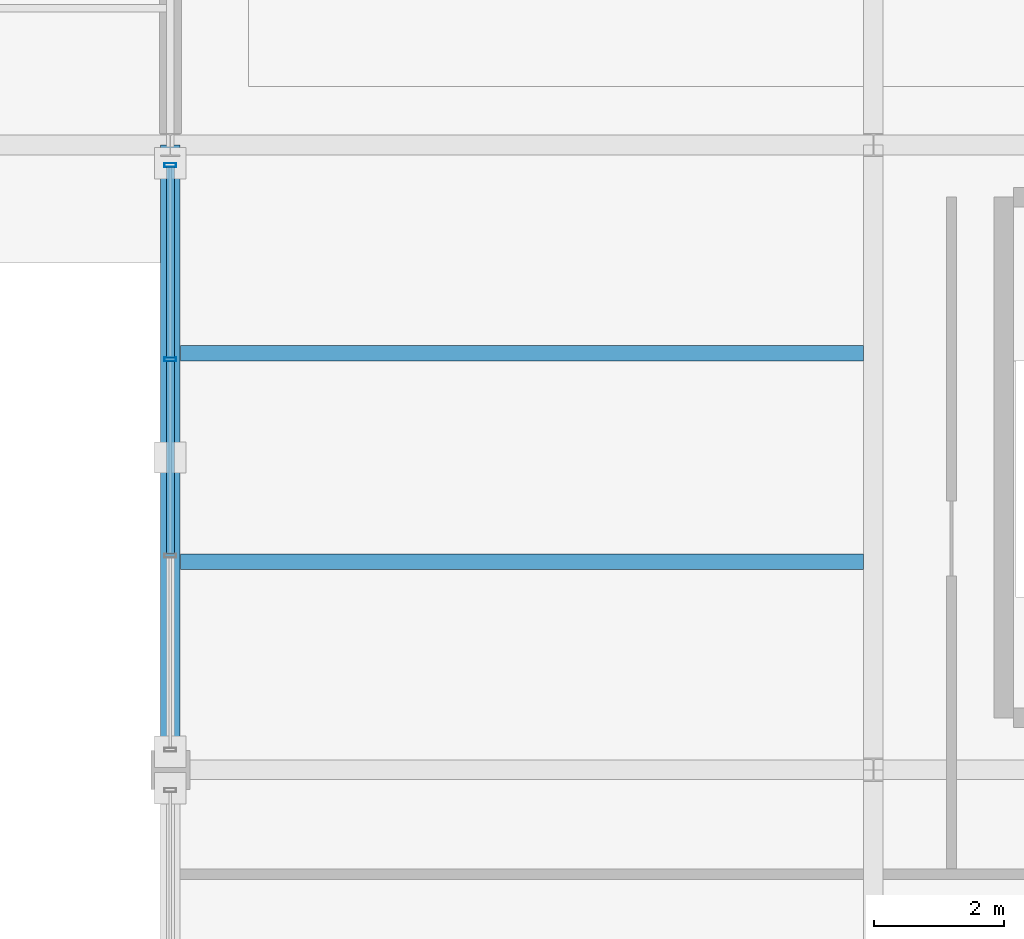
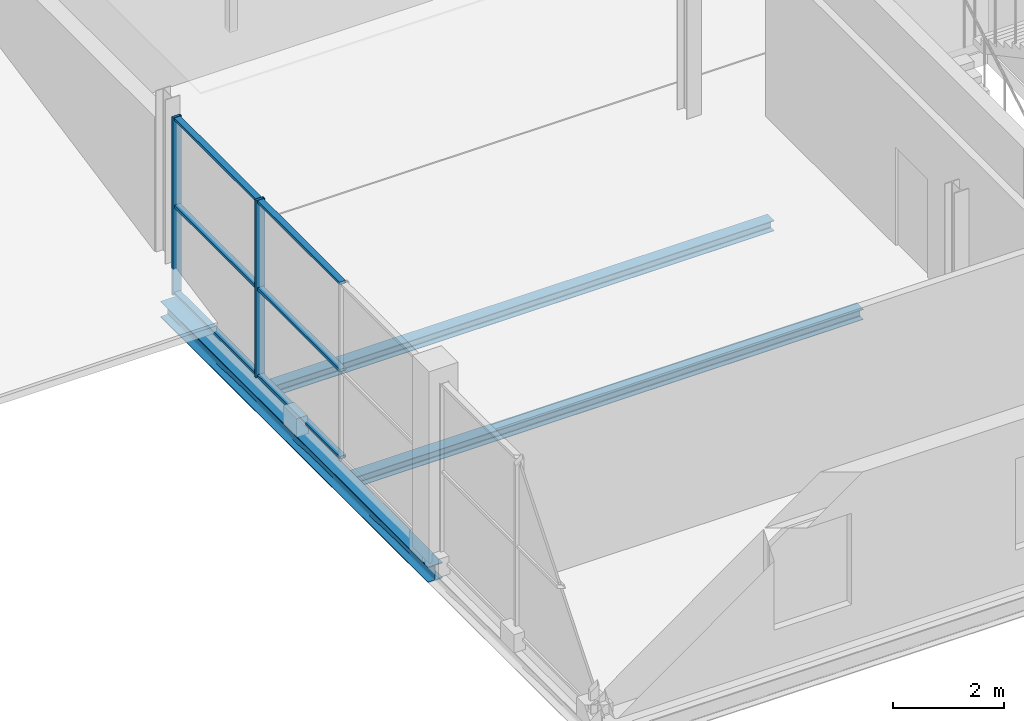
# One storey, part 75 of 117: 8 members, 3 beams, 1 element without a shape of its own.
"""IFC4 building model written with IfcOpenShell, lengths in metres."""

from ifc_helpers import new_model, si_unit, direction, frame, origin, origin_2d, place, context, subcontext, project, spatial, hollow_rectangle, i_section, extrude, material, material_profile, profile_set, type_object, element, aggregate, save


model = new_model("IFC4")

# Units and contexts
model_context = context("Model", 3, precision=1e-05, world=origin(), true_north=direction((0.0, 1.0)))
body_context = subcontext(model_context, "Body", "Model", "MODEL_VIEW")
ifc_project = project(units=[si_unit("LENGTHUNIT", "METRE"), si_unit("AREAUNIT", "SQUARE_METRE"), si_unit("VOLUMEUNIT", "CUBIC_METRE"), si_unit("PLANEANGLEUNIT", "RADIAN"), si_unit("MASSUNIT", "GRAM", prefix="KILO")], contexts=[model_context])

# Site, building, storey
site_placement = place(None, origin())
site = spatial("IfcSite", under=ifc_project, at=site_placement, CompositionType="ELEMENT")
building_placement = place(site_placement, origin())
building = spatial("IfcBuilding", under=site, at=building_placement, Name="Merenkruunu Market Hall", CompositionType="ELEMENT")
storey_placement = place(building_placement, frame((0.0, 0.0, 10.199951171875)))
storey = spatial("IfcBuildingStorey", under=building, at=storey_placement, Name="L02", CompositionType="ELEMENT", Elevation=10.199951171875)

# Curtain wall, members
ifc_material_1 = material(Name="Powder-coated aluminium", Category="aluminium")
curtain_wall_type = type_object("IfcCurtainWallType", Name="Glazed Curtain Wall CW14", PredefinedType="USERDEFINED", material=ifc_material_1)
curtain_wall_placement = place(storey_placement, origin())
curtain_wall = element("IfcCurtainWall", 1, at=curtain_wall_placement, inside=storey, type_object=curtain_wall_type, Name="CW-L02-CWM02-219", ObjectType="GLAZED_FACADE", PredefinedType="USERDEFINED")
ifc_material_profile_1 = material_profile(ifc_material_1, hollow_rectangle(XDim=0.06005859375, YDim=0.179931640625, WallThickness=0.00390625, at=origin_2d()), Name="ALU 60x180x4")
ifc_profile_set_1 = profile_set([ifc_material_profile_1], Name="Powder-coated aluminium")
member_type_1 = type_object("IfcMemberType", Name="Curtain Wall Mullion CWM02", PredefinedType="MULLION", material=ifc_profile_set_1)
member_1_placement = place(storey_placement, frame((148.800048828125, 12.306640625, 0.0), z_axis=(0.0, 0.0, 1.0), x_axis=(0.0, 1.0, 0.0)))
member_1 = element("IfcMember", 2, at=member_1_placement, type_object=member_type_1, Name="CW14 mullion 3", PredefinedType="MULLION", context=body_context, shape_type="SweptSolid", body=[
    extrude(hollow_rectangle(XDim=0.06005859375, YDim=0.179931640625, WallThickness=0.00390625, at=origin_2d()), origin(), (0.0, 0.0, 1.0), 3.880126953125),
])
member_2_placement = place(storey_placement, frame((148.800048828125, 15.2900390625, 0.0), z_axis=(0.0, 0.0, 1.0), x_axis=(0.0, 1.0, 0.0)))
member_2 = element("IfcMember", 3, at=member_2_placement, type_object=member_type_1, Name="CW14 mullion 4", PredefinedType="MULLION", context=body_context, shape_type="SweptSolid", body=[
    extrude(hollow_rectangle(XDim=0.06005859375, YDim=0.179931640625, WallThickness=0.00390625, at=origin_2d()), origin(), (0.0, 0.0, 1.0), 3.880126953125),
])
ifc_material_profile_2 = material_profile(ifc_material_1, hollow_rectangle(XDim=0.06005859375, YDim=0.125, WallThickness=0.00390625, at=origin_2d()), Name="ALU 60x125x4")
ifc_profile_set_2 = profile_set([ifc_material_profile_2], Name="Powder-coated aluminium")
member_type_2 = type_object("IfcMemberType", Name="Curtain Wall Transom CWT01", PredefinedType="USERDEFINED", material=ifc_profile_set_2)
member_3_placement = place(storey_placement, frame((148.800048828125, 9.3232421875, 0.030029296875), z_axis=(0.0, 1.0, 0.0), x_axis=(0.0, 0.0, 1.0)))
member_3 = element("IfcMember", 4, at=member_3_placement, type_object=member_type_2, Name="CW14 transom 2.1", ObjectType="TRANSOM", PredefinedType="USERDEFINED", context=body_context, shape_type="SweptSolid", body=[
    extrude(hollow_rectangle(XDim=0.06005859375, YDim=0.125, WallThickness=0.00390625, at=origin_2d()), origin(), (0.0, 0.0, 1.0), 2.953369140625),
])
member_4_placement = place(storey_placement, frame((148.800048828125, 9.3232421875, 1.93994140625), z_axis=(0.0, 1.0, 0.0), x_axis=(0.0, 0.0, 1.0)))
member_4 = element("IfcMember", 5, at=member_4_placement, type_object=member_type_2, Name="CW14 transom 2.2", ObjectType="TRANSOM", PredefinedType="USERDEFINED", context=body_context, shape_type="SweptSolid", body=[
    extrude(hollow_rectangle(XDim=0.06005859375, YDim=0.125, WallThickness=0.00390625, at=origin_2d()), origin(), (0.0, 0.0, 1.0), 2.953369140625),
])
member_5_placement = place(storey_placement, frame((148.800048828125, 9.3232421875, 3.85009765625), z_axis=(0.0, 1.0, 0.0), x_axis=(0.0, 0.0, 1.0)))
member_5 = element("IfcMember", 6, at=member_5_placement, type_object=member_type_2, Name="CW14 transom 2.3", ObjectType="TRANSOM", PredefinedType="USERDEFINED", context=body_context, shape_type="SweptSolid", body=[
    extrude(hollow_rectangle(XDim=0.06005859375, YDim=0.125, WallThickness=0.00390625, at=origin_2d()), origin(), (0.0, 0.0, 1.0), 2.953369140625),
])
member_6_placement = place(storey_placement, frame((148.800048828125, 12.336669921875, 0.030029296875), z_axis=(0.0, 1.0, 0.0), x_axis=(0.0, 0.0, 1.0)))
member_6 = element("IfcMember", 7, at=member_6_placement, type_object=member_type_2, Name="CW14 transom 3.1", ObjectType="TRANSOM", PredefinedType="USERDEFINED", context=body_context, shape_type="SweptSolid", body=[
    extrude(hollow_rectangle(XDim=0.06005859375, YDim=0.125, WallThickness=0.00390625, at=origin_2d()), origin(), (0.0, 0.0, 1.0), 2.92333984375),
])
member_7_placement = place(storey_placement, frame((148.800048828125, 12.336669921875, 1.93994140625), z_axis=(0.0, 1.0, 0.0), x_axis=(0.0, 0.0, 1.0)))
member_7 = element("IfcMember", 8, at=member_7_placement, type_object=member_type_2, Name="CW14 transom 3.2", ObjectType="TRANSOM", PredefinedType="USERDEFINED", context=body_context, shape_type="SweptSolid", body=[
    extrude(hollow_rectangle(XDim=0.06005859375, YDim=0.125, WallThickness=0.00390625, at=origin_2d()), origin(), (0.0, 0.0, 1.0), 2.92333984375),
])
member_8_placement = place(storey_placement, frame((148.800048828125, 12.336669921875, 3.85009765625), z_axis=(0.0, 1.0, 0.0), x_axis=(0.0, 0.0, 1.0)))
member_8 = element("IfcMember", 9, at=member_8_placement, type_object=member_type_2, Name="CW14 transom 3.3", ObjectType="TRANSOM", PredefinedType="USERDEFINED", context=body_context, shape_type="SweptSolid", body=[
    extrude(hollow_rectangle(XDim=0.06005859375, YDim=0.125, WallThickness=0.00390625, at=origin_2d()), origin(), (0.0, 0.0, 1.0), 2.92333984375),
])
aggregate(curtain_wall, [member_1, member_2, member_3, member_4, member_5, member_6, member_7, member_8])

# Beams
ifc_material_2 = material(Name="Steel S355J2", Category="steel")
ifc_material_profile_3 = material_profile(ifc_material_2, i_section(OverallWidth=0.300048828125, OverallDepth=0.35009765625, WebThickness=0.010009765625, FlangeThickness=0.017578125, FilletRadius=0.027099609375, at=origin_2d()), Name="HEA 360")
ifc_profile_set_3 = profile_set([ifc_material_profile_3], Name="Steel S355J2")
beam_type_1 = type_object("IfcBeamType", Name="Primary Floor Girder B08", PredefinedType="BEAM", material=ifc_profile_set_3)
beam_placement = place(storey_placement, frame((148.800048828125, 6.0, -0.48486328125), z_axis=(0.0, 1.0, 0.0), x_axis=(-1.0, 0.0, 0.0)))
element("IfcBeam", 10, at=beam_placement, inside=storey, type_object=beam_type_1, Name="BM-L02-B08-0797", PredefinedType="BEAM", context=body_context, shape_type="SweptSolid", body=[
    extrude(i_section(OverallWidth=0.300048828125, OverallDepth=0.35009765625, WebThickness=0.010009765625, FlangeThickness=0.017578125, FilletRadius=0.027099609375, at=origin_2d()), origin(), (0.0, 0.0, 1.0), 9.60009765625),
])
ifc_material_profile_4 = material_profile(ifc_material_2, i_section(OverallWidth=0.239990234375, OverallDepth=0.22998046875, WebThickness=0.007568359375, FlangeThickness=0.011962890625, FilletRadius=0.02099609375, at=origin_2d()), Name="HEA 240")
ifc_profile_set_4 = profile_set([ifc_material_profile_4], Name="Steel S355J2")
beam_type_2 = type_object("IfcBeamType", Name="Secondary Floor Joist J06", PredefinedType="JOIST", material=ifc_profile_set_4)
for number, where, z_axis, x_axis, name in (
    (11, (148.952880859375, 9.199951171875, -0.425048828125), (1.0, 0.0, 0.0), (0.0, 1.0, 0.0), "BM-L02-J06-0836"),
    (12, (148.952880859375, 12.39990234375, -0.425048828125), (1.0, 0.0, 0.0), (0.0, 1.0, 0.0), "BM-L02-J06-0837"),
):
    element("IfcBeam", number, at=place(storey_placement, frame(where, z_axis=z_axis, x_axis=x_axis)), inside=storey, type_object=beam_type_2, Name=name, PredefinedType="JOIST", context=body_context, shape_type="SweptSolid", body=[
        extrude(i_section(OverallWidth=0.239990234375, OverallDepth=0.22998046875, WebThickness=0.007568359375, FlangeThickness=0.011962890625, FilletRadius=0.02099609375, at=origin_2d()), origin(), (0.0, 0.0, 1.0), 10.494140625),
    ])

save(model, "model.ifc")
